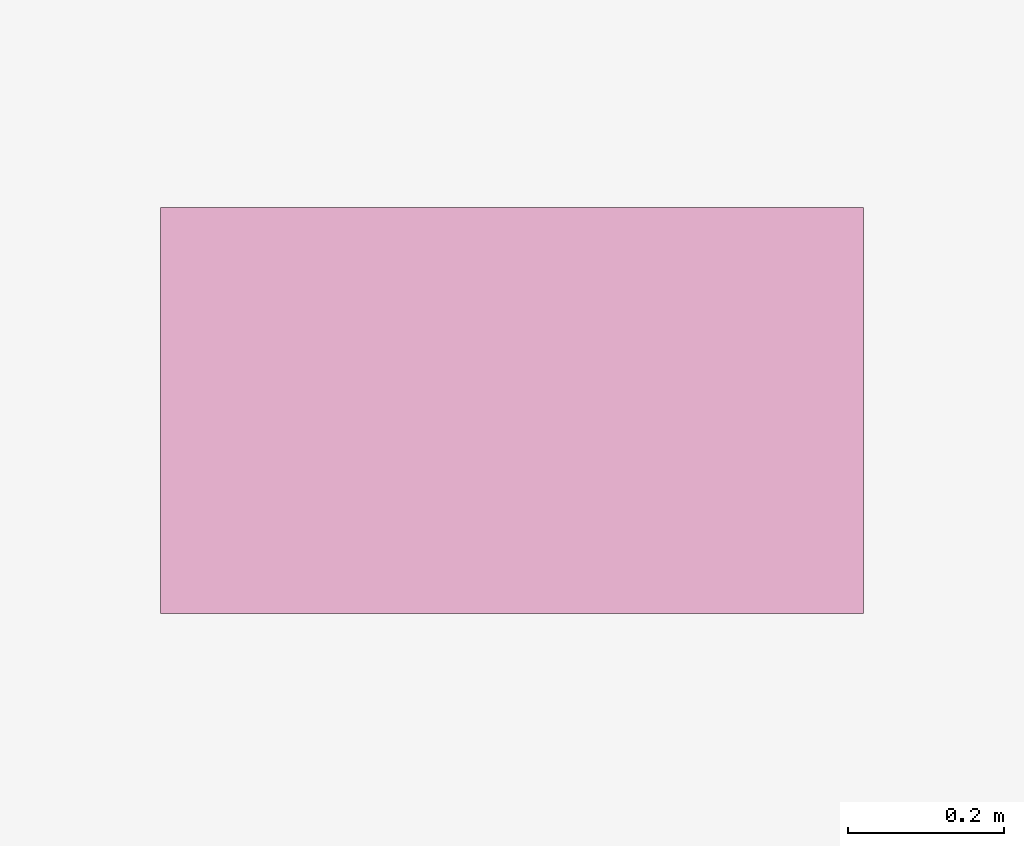
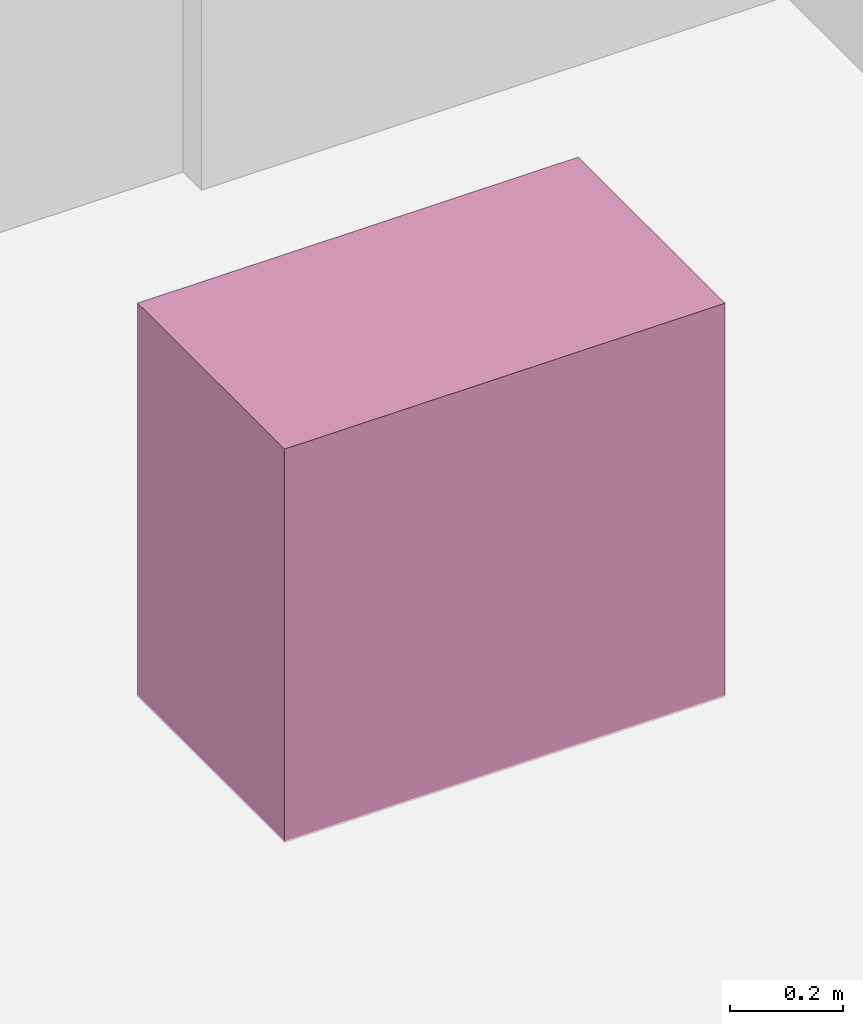
# One storey, part 35 of 35: 1 furnishing.
"""IFC4 building model written with IfcOpenShell, lengths in metres."""

import ifcopenshell
import ifcopenshell.guid

model = None  # the IFC model being written
_history = None  # IfcOwnerHistory: only IFC2X3 demands one
_inside = {}  # id of a spatial element -> (the spatial element, [elements in it])
_under = {}  # id of a project, library or spatial element -> (it, [spatial elements below it])
_declared = {}  # id of a project -> (the project, [libraries it declares])
_typed = {}  # id of a type object -> (the type object, [elements of that type])
_made_of = {}  # id of a material, layer set ... -> (it, [elements and type objects made of it])


def new_model(schema):
    """Start an empty IFC model of exactly this schema.

    Asked for "IFC4X3", IfcOpenShell would pick the latest addendum, in which some entities
    have other attributes; the version numbers below select the first issue.
    IFC2X3 requires an IfcOwnerHistory on every rooted entity: one is made here for all.
    """
    global model, _history
    if schema == "IFC4X3":
        model = ifcopenshell.file(schema_version=(4, 3, 0, 0))
    else:
        model = ifcopenshell.file(schema=schema)
    _inside.clear()
    _under.clear()
    _declared.clear()
    _typed.clear()
    _made_of.clear()
    _history = None
    if model.schema == "IFC2X3":
        org = make("IfcOrganization", Name="unknown")
        user = make(
            "IfcPersonAndOrganization",
            ThePerson=make("IfcPerson", FamilyName="unknown"),
            TheOrganization=org,
        )
        app = make(
            "IfcApplication",
            ApplicationDeveloper=org,
            Version="unknown",
            ApplicationFullName="unknown",
            ApplicationIdentifier="unknown",
        )
        _history = make(
            "IfcOwnerHistory",
            OwningUser=user,
            OwningApplication=app,
            ChangeAction="ADDED",
            CreationDate=0,
        )
    return model


def make(cls, **values):
    """One entity of the class cls with the attributes given. An attribute that is None is left unset."""
    return model.create_entity(
        cls, **{name: value for name, value in values.items() if value is not None}
    )


def rooted(cls, **values):
    """An entity with a GlobalId (a new one), such as an element, a storey or a relation."""
    return make(cls, GlobalId=ifcopenshell.guid.new(), OwnerHistory=_history, **values)


def si_unit(unit_type, name, prefix=None):
    """IfcSIUnit, for example si_unit("LENGTHUNIT", "METRE", prefix="MILLI")."""
    return make("IfcSIUnit", UnitType=unit_type, Prefix=prefix, Name=name)


def assignment(units):
    """IfcUnitAssignment: the units of a project."""
    return None if units is None else make("IfcUnitAssignment", Units=units)


def point(xyz):
    """IfcCartesianPoint."""
    return None if xyz is None else make("IfcCartesianPoint", Coordinates=xyz)


def direction(xyz):
    """IfcDirection."""
    return None if xyz is None else make("IfcDirection", DirectionRatios=xyz)


def frame(location, z_axis=None, x_axis=None):
    """IfcAxis2Placement3D, a coordinate frame: its origin and axes. An axis left out is left unset."""
    return make(
        "IfcAxis2Placement3D",
        Location=point(location),
        Axis=direction(z_axis),
        RefDirection=direction(x_axis),
    )


def frame_2d(location, x_axis=None):
    """IfcAxis2Placement2D, a coordinate frame in the plane: its origin and x axis."""
    return make(
        "IfcAxis2Placement2D", Location=point(location), RefDirection=direction(x_axis)
    )


def origin():
    """The frame at (0, 0, 0) with its axes left unset."""
    return frame((0.0, 0.0, 0.0))


def origin_2d():
    """The frame at (0, 0) in the plane with its x axis left unset."""
    return frame_2d((0.0, 0.0))


def place(relative_to, where):
    """IfcLocalPlacement: puts the frame where relative to a parent placement (None: the world)."""
    return make(
        "IfcLocalPlacement", PlacementRelTo=relative_to, RelativePlacement=where
    )


def context(
    kind, dimensions, precision=None, world=None, true_north=None, identifier=None
):
    """IfcGeometricRepresentationContext, for example the 3D "Model" context."""
    return make(
        "IfcGeometricRepresentationContext",
        ContextIdentifier=identifier,
        ContextType=kind,
        CoordinateSpaceDimension=dimensions,
        Precision=precision,
        WorldCoordinateSystem=world,
        TrueNorth=true_north,
    )


def subcontext(parent, identifier, kind, view, scale=None):
    """IfcGeometricRepresentationSubContext, for example "Body" below "Model"."""
    return make(
        "IfcGeometricRepresentationSubContext",
        ContextIdentifier=identifier,
        ContextType=kind,
        ParentContext=parent,
        TargetScale=scale,
        TargetView=view,
    )


def project(units=None, contexts=None):
    """IfcProject with its units and contexts."""
    return rooted(
        "IfcProject",
        Name="project",
        RepresentationContexts=contexts,
        UnitsInContext=assignment(units),
    )


def spatial(cls, under=None, at=None, **own):
    """A site, building, storey or space (cls), placed at a placement, below another one or the project."""
    s = rooted(cls, ObjectPlacement=at, **own)
    if under is not None:
        _under.setdefault(under.id(), (under, []))[1].append(s)
    return s


def profile(cls, at=None, kind="AREA", **sizes):
    """A parametric profile (cls). Its sizes go by their IFC names, for example OverallWidth=200.0."""
    return make(cls, ProfileType=kind, Position=at, **sizes)


def rectangle(**sizes):
    """IfcRectangleProfileDef."""
    return profile("IfcRectangleProfileDef", **sizes)


def extrude(swept, where, along, depth):
    """IfcExtrudedAreaSolid: the profile swept, set in the frame where, extruded along a direction by depth."""
    return make(
        "IfcExtrudedAreaSolid",
        SweptArea=swept,
        Position=where,
        ExtrudedDirection=direction(along),
        Depth=depth,
    )


def shape(context_of_items, identifier, shape_type, items):
    """IfcShapeRepresentation: the items that make up one representation, for example the "Body"."""
    return make(
        "IfcShapeRepresentation",
        ContextOfItems=context_of_items,
        RepresentationIdentifier=identifier,
        RepresentationType=shape_type,
        Items=items,
    )


def material(Name=None, Category=None):
    """IfcMaterial."""
    return make("IfcMaterial", Name=Name, Category=Category)


def made_of(thing, what):
    """Note that an element or type object is made of a material, layer set ...; save() writes the relation."""
    if what is not None:
        _made_of.setdefault(what.id(), (what, []))[1].append(thing)
    return thing


def type_object(cls, material=None, **own):
    """A type object (cls), such as IfcWallType, which elements share."""
    return made_of(rooted(cls, **own), material)


def element(
    cls,
    number,
    at=None,
    inside=None,
    cuts=None,
    type_object=None,
    material=None,
    context=None,
    identifier="Body",
    shape_type=None,
    held_by="IfcProductDefinitionShape",
    body=None,
    shapes=None,
    **own,
):
    """One element of the class cls, such as IfcWall. Its Tag is "e" and its number.

    at: its placement. inside: the storey or other place that contains it. cuts: it is an
    opening in that element (IfcRelVoidsElement). A single representation is given by context,
    identifier, shape_type and body (its items); several are given by shapes. held_by: the class
    of the entity that holds the representations. save() writes the other relations.
    """
    e = rooted(cls, Tag="e%d" % number, ObjectPlacement=at, **own)
    if body is not None:
        shapes = [shape(context, identifier, shape_type, body)]
    if shapes is not None:
        e.Representation = make(held_by, Representations=shapes)
    if inside is not None:
        _inside.setdefault(inside.id(), (inside, []))[1].append(e)
    if cuts is not None:
        rooted(
            "IfcRelVoidsElement", RelatingBuildingElement=cuts, RelatedOpeningElement=e
        )
    if type_object is not None:
        _typed.setdefault(type_object.id(), (type_object, []))[1].append(e)
    return made_of(e, material)


def aggregate(whole, parts):
    """IfcRelAggregates: a whole, such as a stair, and the parts it consists of."""
    return rooted("IfcRelAggregates", RelatingObject=whole, RelatedObjects=parts)


def save(model, path):
    """Write the relations noted so far, then the file.

    IfcRelAggregates (storeys below a building ...), IfcRelContainedInSpatialStructure (elements
    in a storey), IfcRelDefinesByType, IfcRelAssociatesMaterial and IfcRelDeclares: one each for
    every whole, place, type object, material and project.
    """
    for whole, parts in _under.values():
        aggregate(whole, parts)
    for where, things in _inside.values():
        rooted(
            "IfcRelContainedInSpatialStructure",
            RelatedElements=things,
            RelatingStructure=where,
        )
    for kind, things in _typed.values():
        rooted("IfcRelDefinesByType", RelatedObjects=things, RelatingType=kind)
    for what, things in _made_of.values():
        rooted("IfcRelAssociatesMaterial", RelatedObjects=things, RelatingMaterial=what)
    for by, libraries in _declared.values():
        rooted("IfcRelDeclares", RelatingContext=by, RelatedDefinitions=libraries)
    model.write(path)


model = new_model("IFC4")

# Units and contexts
model_context = context("Model", 3, precision=1e-05, world=origin(), true_north=direction((0.0, 1.0)))
body_context = subcontext(model_context, "Body", "Model", "MODEL_VIEW")
ifc_project = project(units=[si_unit("LENGTHUNIT", "METRE"), si_unit("AREAUNIT", "SQUARE_METRE"), si_unit("VOLUMEUNIT", "CUBIC_METRE"), si_unit("PLANEANGLEUNIT", "RADIAN"), si_unit("MASSUNIT", "GRAM", prefix="KILO")], contexts=[model_context])

# Site, building, storey
site_placement = place(None, origin())
site = spatial("IfcSite", under=ifc_project, at=site_placement, CompositionType="ELEMENT")
building_placement = place(site_placement, origin())
building = spatial("IfcBuilding", under=site, at=building_placement, Name="Vorneva Point Tower", CompositionType="ELEMENT")
storey_placement = place(building_placement, frame((0.0, 0.0, 48.5)))
storey = spatial("IfcBuildingStorey", under=building, at=storey_placement, Name="L12", CompositionType="ELEMENT", Elevation=48.5)

# Furnishing
ifc_material = material(Name="Vitreous china and granite top", Category="masonry")
furniture_type = type_object("IfcFurnitureType", Name="FUR-VAN-900", AssemblyPlace="NOTDEFINED", PredefinedType="NOTDEFINED", material=ifc_material)
furnishing_placement = place(storey_placement, frame((37.97509765625, 32.1201171875, -0.005126953125), z_axis=(0.0, 0.0, 1.0), x_axis=(1.0, 0.0, 0.0)))
element("IfcFurnishingElement", 1, at=furnishing_placement, inside=storey, type_object=furniture_type, Name="L12 Accessible WC Vanity Unit", ObjectType="L12 Accessible WC Vanity Unit", context=body_context, shape_type="SweptSolid", body=[
    extrude(rectangle(XDim=0.89990234375, YDim=0.52001953125, at=origin_2d()), origin(), (0.0, 0.0, 1.0), 0.85009765625),
])

save(model, "model.ifc")
